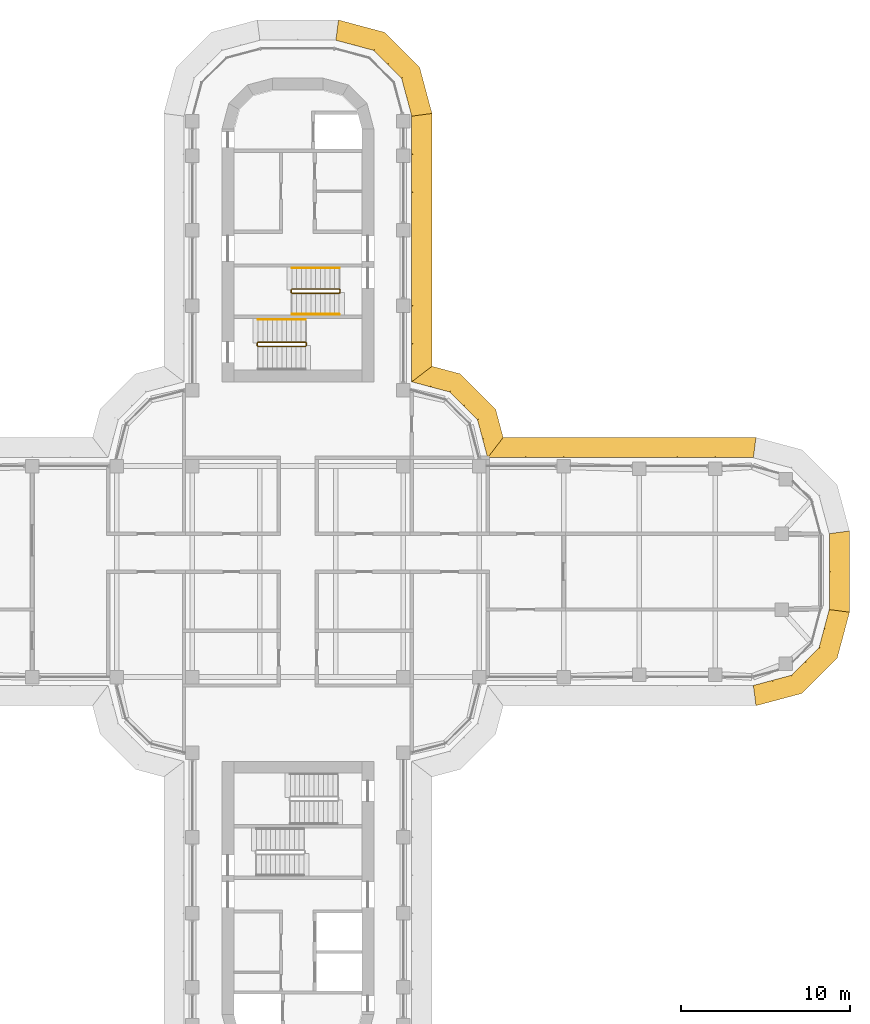
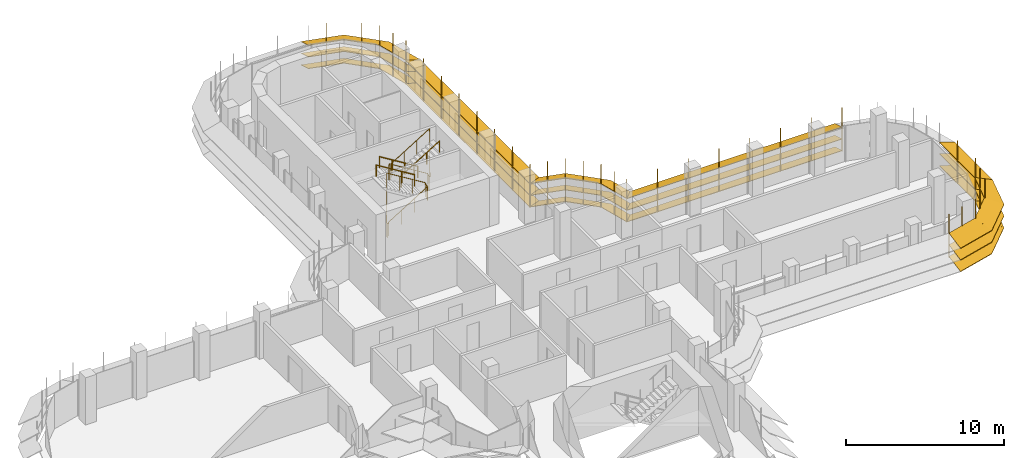
# One storey, part 18 of 19: 6 shading devices, 5 railings.
"""IFC4 building model written with IfcOpenShell, lengths in metres."""

from ifc_helpers import new_model, si_unit, direction, frame, origin, origin_2d, place, context, subcontext, project, spatial, polyline, circle, outline, extrude, faceted_brep, source, transform, mapped, material, type_object, element, save


model = new_model("IFC4")

# Units and contexts
model_context = context("Model", 3, precision=1e-05, world=origin(), true_north=direction((0.0, 1.0)))
body_context = subcontext(model_context, "Body", "Model", "MODEL_VIEW")
ifc_project = project(units=[si_unit("LENGTHUNIT", "METRE"), si_unit("AREAUNIT", "SQUARE_METRE"), si_unit("VOLUMEUNIT", "CUBIC_METRE"), si_unit("PLANEANGLEUNIT", "RADIAN"), si_unit("MASSUNIT", "GRAM", prefix="KILO")], contexts=[model_context])

# Site, building, storey
site_placement = place(None, origin())
site = spatial("IfcSite", under=ifc_project, at=site_placement, CompositionType="ELEMENT")
building_placement = place(site_placement, origin())
building = spatial("IfcBuilding", under=site, at=building_placement, Name="Zarbagh Exchange Tower", CompositionType="ELEMENT")
storey_placement = place(building_placement, frame((0.0, 0.0, 182.800048828125)))
storey = spatial("IfcBuildingStorey", under=building, at=storey_placement, Name="L44", CompositionType="ELEMENT", Elevation=182.800048828125)

# Railings
ifc_material_1 = material(Name="Stainless steel", Category="steel")
railing_type_1 = type_object("IfcRailingType", Name="Stair guard 1100 mm", PredefinedType="GUARDRAIL", material=ifc_material_1)
railing_1_placement = place(storey_placement, frame((-0.35009765625, 16.5, 2.07275390625)))
element("IfcRailing", 1, at=railing_1_placement, inside=storey, type_object=railing_type_1, Name="ST1 stair guard 1", PredefinedType="GUARDRAIL", context=body_context, shape_type="SweptSolid", body=[
    extrude(circle(Radius=0.02392578125, at=origin_2d()), frame((0.0, 0.0, 1.076171875), z_axis=(0.851089632645, 0.0, 0.525020415988), x_axis=(0.0, 1.0, 0.0)), (0.0, 0.0, 1.0), 3.2900390625),
    extrude(circle(Radius=0.02392578125, at=origin_2d()), frame((2.800048828125, 0.0, 2.80322265625), z_axis=(0.013168290981, 0.013168290981, -0.999826581076), x_axis=(-0.707106781187, 0.707106781187, 0.0)), (0.0, 0.0, 1.0), 3.80078125),
    extrude(circle(Radius=0.02392578125, at=origin_2d()), frame((2.85009765625, 0.050048828125, -0.99658203125), z_axis=(0.0, 1.0, 0.0), x_axis=(-1.0, 0.0, 0.0)), (0.0, 0.0, 1.0), 0.14990234375),
    extrude(circle(Radius=0.02392578125, at=origin_2d()), frame((2.85009765625, 0.199951171875, -0.99658203125), z_axis=(-0.268277960024, 0.268277960024, 0.925231793839), x_axis=(-0.707106781187, -0.707106781187, 0.0)), (0.0, 0.0, 1.0), 0.1865234375),
    extrude(circle(Radius=0.02392578125, at=origin_2d()), frame((2.800048828125, 0.25, -0.82421875), z_axis=(-0.851089632645, 0.0, 0.525020415988), x_axis=(0.0, -1.0, 0.0)), (0.0, 0.0, 1.0), 3.2900390625),
    extrude(circle(Radius=0.02392578125, at=origin_2d()), frame((0.0, 0.25, 0.9033203125), z_axis=(-0.705375805398, -0.708833529934, 0.0), x_axis=(0.708833529934, -0.705375805398, 0.0)), (0.0, 0.0, 1.0), 0.070556640625),
    extrude(circle(Radius=0.02392578125, at=origin_2d()), frame((-0.0498046875, 0.199951171875, 0.9033203125), z_axis=(0.0, -1.0, 0.0), x_axis=(1.0, 0.0, 0.0)), (0.0, 0.0, 1.0), 0.14990234375),
    extrude(circle(Radius=0.02099609375, at=origin_2d()), origin(), (0.0, 0.0, 1.0), 1.052001953125),
    extrude(circle(Radius=0.02099609375, at=origin_2d()), frame((0.933349609375, 0.0, 0.57568359375)), (0.0, 0.0, 1.0), 1.052001953125),
    extrude(circle(Radius=0.02099609375, at=origin_2d()), frame((1.86669921875, 0.0, 1.151611328125)), (0.0, 0.0, 1.0), 1.052001953125),
    extrude(circle(Radius=0.02099609375, at=origin_2d()), frame((2.800048828125, 0.0, 1.727294921875)), (0.0, 0.0, 1.0), 1.052001953125),
    extrude(circle(Radius=0.02099609375, at=origin_2d()), frame((2.8125, 0.012451171875, 0.77734375)), (0.0, 0.0, 1.0), 1.052001953125),
    extrude(circle(Radius=0.02099609375, at=origin_2d()), frame((2.8251953125, 0.02490234375, -0.1728515625)), (0.0, 0.0, 1.0), 1.052001953125),
    extrude(circle(Radius=0.02099609375, at=origin_2d()), frame((2.837646484375, 0.03759765625, -1.122802734375)), (0.0, 0.0, 1.0), 1.052001953125),
    extrude(circle(Radius=0.02099609375, at=origin_2d()), frame((2.85009765625, 0.050048828125, -2.07275390625)), (0.0, 0.0, 1.0), 1.052001953125),
    extrude(circle(Radius=0.02099609375, at=origin_2d()), frame((2.85009765625, 0.199951171875, -2.07275390625)), (0.0, 0.0, 1.0), 1.052001953125),
    extrude(circle(Radius=0.02099609375, at=origin_2d()), frame((2.800048828125, 0.25, -1.900146484375)), (0.0, 0.0, 1.0), 1.052001953125),
    extrude(circle(Radius=0.02099609375, at=origin_2d()), frame((1.86669921875, 0.25, -1.324462890625)), (0.0, 0.0, 1.0), 1.052001953125),
    extrude(circle(Radius=0.02099609375, at=origin_2d()), frame((0.933349609375, 0.25, -0.74853515625)), (0.0, 0.0, 1.0), 1.052001953125),
    extrude(circle(Radius=0.02099609375, at=origin_2d()), frame((0.0, 0.25, -0.1728515625)), (0.0, 0.0, 1.0), 1.052001953125),
    extrude(circle(Radius=0.02099609375, at=origin_2d()), frame((-0.0498046875, 0.199951171875, -0.1728515625)), (0.0, 0.0, 1.0), 1.052001953125),
    extrude(circle(Radius=0.02099609375, at=origin_2d()), frame((-0.0498046875, 0.050048828125, -0.1728515625)), (0.0, 0.0, 1.0), 1.052001953125),
])
railing_2_placement = place(storey_placement, frame((0.5, 13.39990234375, 1.89990234375)))
element("IfcRailing", 2, at=railing_2_placement, inside=storey, type_object=railing_type_1, Name="ST2 stair guard 1", PredefinedType="GUARDRAIL", context=body_context, shape_type="SweptSolid", body=[
    extrude(circle(Radius=0.02392578125, at=origin_2d()), frame((0.0, 0.0, 1.076171875), z_axis=(0.0, 1.0, 0.0), x_axis=(-1.0, 0.0, 0.0)), (0.0, 0.0, 1.0), 0.150146484375),
    extrude(circle(Radius=0.02392578125, at=origin_2d()), frame((0.0, 0.150146484375, 1.076171875), z_axis=(-0.267953482034, 0.267953482034, 0.925419830635), x_axis=(-0.707106781187, -0.707106781187, 0.0)), (0.0, 0.0, 1.0), 0.186767578125),
    extrude(circle(Radius=0.02392578125, at=origin_2d()), frame((-0.050048828125, 0.2001953125, 1.2490234375), z_axis=(-0.851089632645, 0.0, 0.525020415988), x_axis=(0.0, -1.0, 0.0)), (0.0, 0.0, 1.0), 3.2900390625),
    extrude(circle(Radius=0.02392578125, at=origin_2d()), frame((-2.85009765625, 0.2001953125, 2.97607421875), z_axis=(-0.013104066473, -0.013168302093, -0.99982742474), x_axis=(0.708833529934, -0.705375805398, 0.0)), (0.0, 0.0, 1.0), 3.80078125),
    extrude(circle(Radius=0.02392578125, at=origin_2d()), frame((-2.89990234375, 0.150146484375, -0.82373046875), z_axis=(0.0, -1.0, 0.0), x_axis=(1.0, 0.0, 0.0)), (0.0, 0.0, 1.0), 0.150146484375),
    extrude(circle(Radius=0.02392578125, at=origin_2d()), frame((-2.89990234375, 0.0, -0.82373046875), z_axis=(0.26715648603, -0.26715648603, 0.925880566782), x_axis=(0.707106781187, 0.707106781187, 0.0)), (0.0, 0.0, 1.0), 0.1865234375),
    extrude(circle(Radius=0.02392578125, at=origin_2d()), frame((-2.85009765625, -0.0498046875, -0.6513671875), z_axis=(0.851089632645, 0.0, 0.525020415988), x_axis=(0.0, 1.0, 0.0)), (0.0, 0.0, 1.0), 3.2900390625),
    extrude(circle(Radius=0.02099609375, at=origin_2d()), origin(), (0.0, 0.0, 1.0), 1.052001953125),
    extrude(circle(Radius=0.02099609375, at=origin_2d()), frame((0.0, 0.150146484375, 0.0)), (0.0, 0.0, 1.0), 1.052001953125),
    extrude(circle(Radius=0.02099609375, at=origin_2d()), frame((-0.050048828125, 0.2001953125, 0.1728515625)), (0.0, 0.0, 1.0), 1.052001953125),
    extrude(circle(Radius=0.02099609375, at=origin_2d()), frame((-0.9833984375, 0.2001953125, 0.74853515625)), (0.0, 0.0, 1.0), 1.052001953125),
    extrude(circle(Radius=0.02099609375, at=origin_2d()), frame((-1.916748046875, 0.2001953125, 1.324462890625)), (0.0, 0.0, 1.0), 1.052001953125),
    extrude(circle(Radius=0.02099609375, at=origin_2d()), frame((-2.85009765625, 0.2001953125, 1.900146484375)), (0.0, 0.0, 1.0), 1.052001953125),
    extrude(circle(Radius=0.02099609375, at=origin_2d()), frame((-2.862548828125, 0.187744140625, 0.9501953125)), (0.0, 0.0, 1.0), 1.052001953125),
    extrude(circle(Radius=0.02099609375, at=origin_2d()), frame((-2.875, 0.17529296875, 0.0)), (0.0, 0.0, 1.0), 1.052001953125),
    extrude(circle(Radius=0.02099609375, at=origin_2d()), frame((-2.887451171875, 0.16259765625, -0.949951171875)), (0.0, 0.0, 1.0), 1.052001953125),
    extrude(circle(Radius=0.02099609375, at=origin_2d()), frame((-2.89990234375, 0.150146484375, -1.89990234375)), (0.0, 0.0, 1.0), 1.052001953125),
    extrude(circle(Radius=0.02099609375, at=origin_2d()), frame((-2.89990234375, 0.0, -1.89990234375)), (0.0, 0.0, 1.0), 1.052001953125),
    extrude(circle(Radius=0.02099609375, at=origin_2d()), frame((-2.85009765625, -0.0498046875, -1.727294921875)), (0.0, 0.0, 1.0), 1.052001953125),
    extrude(circle(Radius=0.02099609375, at=origin_2d()), frame((-1.916748046875, -0.0498046875, -1.151611328125)), (0.0, 0.0, 1.0), 1.052001953125),
    extrude(circle(Radius=0.02099609375, at=origin_2d()), frame((-0.9833984375, -0.0498046875, -0.57568359375)), (0.0, 0.0, 1.0), 1.052001953125),
    extrude(circle(Radius=0.02099609375, at=origin_2d()), frame((-0.050048828125, -0.0498046875, 0.0)), (0.0, 0.0, 1.0), 1.052001953125),
])
railing_type_2 = type_object("IfcRailingType", Name="Stair handrail 900 mm", PredefinedType="HANDRAIL", material=ifc_material_1)
railing_3_placement = place(storey_placement, frame((2.449951171875, 18.0, 0.172607421875)))
element("IfcRailing", 3, at=railing_3_placement, inside=storey, type_object=railing_type_2, Name="ST1 stair handrail 1", PredefinedType="HANDRAIL", context=body_context, shape_type="SweptSolid", body=[
    extrude(circle(Radius=0.02392578125, at=origin_2d()), frame((0.0, 0.0, 0.8759765625), z_axis=(-0.851089632645, 0.0, 0.525020415988), x_axis=(0.0, -1.0, 0.0)), (0.0, 0.0, 1.0), 3.2900390625),
    extrude(circle(Radius=0.02099609375, at=origin_2d()), origin(), (0.0, 0.0, 1.0), 0.851806640625),
    extrude(circle(Radius=0.02099609375, at=origin_2d()), frame((-0.933349609375, 0.0, 0.57568359375)), (0.0, 0.0, 1.0), 0.851806640625),
    extrude(circle(Radius=0.02099609375, at=origin_2d()), frame((-1.86669921875, 0.0, 1.151611328125)), (0.0, 0.0, 1.0), 0.851806640625),
    extrude(circle(Radius=0.02099609375, at=origin_2d()), frame((-2.800048828125, 0.0, 1.727294921875)), (0.0, 0.0, 1.0), 0.851806640625),
])
railing_4_placement = place(storey_placement, frame((-0.35009765625, 15.25, 2.07275390625)))
element("IfcRailing", 4, at=railing_4_placement, inside=storey, type_object=railing_type_2, Name="ST1 stair handrail 2", PredefinedType="HANDRAIL", context=body_context, shape_type="SweptSolid", body=[
    extrude(circle(Radius=0.02392578125, at=origin_2d()), frame((0.0, 0.0, 0.8759765625), z_axis=(0.851089632645, 0.0, 0.525020415988), x_axis=(0.0, 1.0, 0.0)), (0.0, 0.0, 1.0), 3.2900390625),
    extrude(circle(Radius=0.02099609375, at=origin_2d()), origin(), (0.0, 0.0, 1.0), 0.851806640625),
    extrude(circle(Radius=0.02099609375, at=origin_2d()), frame((0.933349609375, 0.0, 0.57568359375)), (0.0, 0.0, 1.0), 0.851806640625),
    extrude(circle(Radius=0.02099609375, at=origin_2d()), frame((1.86669921875, 0.0, 1.151611328125)), (0.0, 0.0, 1.0), 0.851806640625),
    extrude(circle(Radius=0.02099609375, at=origin_2d()), frame((2.800048828125, 0.0, 1.727294921875)), (0.0, 0.0, 1.0), 0.851806640625),
])
railing_5_placement = place(storey_placement, frame((0.449951171875, 14.949951171875, 2.07275390625)))
element("IfcRailing", 5, at=railing_5_placement, inside=storey, type_object=railing_type_2, Name="ST2 stair handrail 2", PredefinedType="HANDRAIL", context=body_context, shape_type="SweptSolid", body=[
    extrude(circle(Radius=0.02392578125, at=origin_2d()), frame((0.0, 0.0, 0.8759765625), z_axis=(-0.851089632645, 0.0, 0.525020415988), x_axis=(0.0, -1.0, 0.0)), (0.0, 0.0, 1.0), 3.2900390625),
    extrude(circle(Radius=0.02099609375, at=origin_2d()), origin(), (0.0, 0.0, 1.0), 0.851806640625),
    extrude(circle(Radius=0.02099609375, at=origin_2d()), frame((-0.933349609375, 0.0, 0.57568359375)), (0.0, 0.0, 1.0), 0.851806640625),
    extrude(circle(Radius=0.02099609375, at=origin_2d()), frame((-1.86669921875, 0.0, 1.151611328125)), (0.0, 0.0, 1.0), 0.851806640625),
    extrude(circle(Radius=0.02099609375, at=origin_2d()), frame((-2.800048828125, 0.0, 1.727294921875)), (0.0, 0.0, 1.0), 0.851806640625),
])

# Shading devices
ifc_material_2 = material(Name="Anodised aluminium blades and brackets", Category="aluminium")
shading_device_type = type_object("IfcShadingDeviceType", Name="SUNSHADE louvre band, 22.5 degree blades", PredefinedType="JALOUSIE", material=ifc_material_2)
shared_shape_1 = source(origin(), body_context, "Body", "Brep", [
    faceted_brep([(0.0, 0.0, 0.0), (0.0, 0.0, -0.043212890625), (-0.157958984375, -1.199951171875, -0.540283203125), (-0.157958984375, -1.199951171875, -0.4970703125), (2.65087890625, -1.199951171875, -0.4970703125), (2.65087890625, -1.199951171875, -0.540283203125), (2.329345703125, 0.0, -0.043212890625), (2.329345703125, 0.0, 0.0)], [[[0, 1, 2, 3]], [[4, 5, 6, 7]], [[0, 7, 6, 1]], [[1, 6, 5, 2]], [[2, 5, 4, 3]], [[3, 4, 7, 0]]]),
])
shared_shape_2 = source(origin(), body_context, "Body", "Brep", [
    faceted_brep([(0.0, 0.0, 0.0), (0.0, 0.0, -0.043212890625), (-0.321533203125, -1.199951171875, -0.540283203125), (-0.321533203125, -1.199951171875, -0.4970703125), (2.65087890625, -1.199951171875, -0.4970703125), (2.65087890625, -1.199951171875, -0.540283203125), (2.329345703125, 0.0, -0.043212890625), (2.329345703125, 0.0, 0.0)], [[[0, 1, 2, 3]], [[4, 5, 6, 7]], [[0, 7, 6, 1]], [[1, 6, 5, 2]], [[2, 5, 4, 3]], [[3, 4, 7, 0]]]),
])
shared_shape_3 = source(origin(), body_context, "Body", "Brep", [
    faceted_brep([(0.0, 0.0, 0.0), (0.0, 0.0, -0.043212890625), (-0.321533203125, -1.199951171875, -0.540283203125), (-0.321533203125, -1.199951171875, -0.4970703125), (2.4873046875, -1.199951171875, -0.4970703125), (2.4873046875, -1.199951171875, -0.540283203125), (2.329345703125, 0.0, -0.043212890625), (2.329345703125, 0.0, 0.0)], [[[0, 1, 2, 3]], [[4, 5, 6, 7]], [[0, 7, 6, 1]], [[1, 6, 5, 2]], [[2, 5, 4, 3]], [[3, 4, 7, 0]]]),
])
shared_shape_4 = source(origin(), body_context, "Body", "SweptSolid", [
    extrude(outline(polyline([(0.0, -0.012451171875), (0.06005859375, -0.012451171875), (0.06005859375, 0.012451171875), (0.0, 0.012451171875), (0.0, -0.012451171875)])), origin(), (0.0, 0.0, 1.0), 3.353271484375),
])
placement = place(storey_placement, origin())
element("IfcShadingDevice", 6, at=placement, inside=storey, type_object=shading_device_type, Name="SS31 sunshade band", PredefinedType="JALOUSIE", context=body_context, shape_type="MappedRepresentation", body=[
    mapped(shared_shape_1, transform((27.0, -6.75, 2.300048828125), x_axis=(0.965924289636, 0.258824779902, 0.0), y_axis=(-0.258824779902, 0.965924289636, 0.0), z_axis=(0.0, 0.0, 1.0))),
    mapped(shared_shape_1, transform((27.0, -6.75, 1.39990234375), x_axis=(0.965924289636, 0.258824779902, 0.0), y_axis=(-0.258824779902, 0.965924289636, 0.0), z_axis=(0.0, 0.0, 1.0))),
    mapped(shared_shape_1, transform((27.0, -6.75, 0.5), x_axis=(0.965924289636, 0.258824779902, 0.0), y_axis=(-0.258824779902, 0.965924289636, 0.0), z_axis=(0.0, 0.0, 1.0))),
    mapped(shared_shape_2, transform((29.25, -6.147216796875, 2.300048828125), x_axis=(0.707106781187, 0.707106781187, 0.0), y_axis=(-0.707106781187, 0.707106781187, 0.0), z_axis=(0.0, 0.0, 1.0))),
    mapped(shared_shape_2, transform((29.25, -6.147216796875, 1.39990234375), x_axis=(0.707106781187, 0.707106781187, 0.0), y_axis=(-0.707106781187, 0.707106781187, 0.0), z_axis=(0.0, 0.0, 1.0))),
    mapped(shared_shape_2, transform((29.25, -6.147216796875, 0.5), x_axis=(0.707106781187, 0.707106781187, 0.0), y_axis=(-0.707106781187, 0.707106781187, 0.0), z_axis=(0.0, 0.0, 1.0))),
    mapped(shared_shape_3, transform((30.897216796875, -4.5, 2.300048828125), x_axis=(0.258824779902, 0.965924289636, 0.0), y_axis=(-0.965924289636, 0.258824779902, 0.0), z_axis=(0.0, 0.0, 1.0))),
    mapped(shared_shape_3, transform((30.897216796875, -4.5, 1.39990234375), x_axis=(0.258824779902, 0.965924289636, 0.0), y_axis=(-0.965924289636, 0.258824779902, 0.0), z_axis=(0.0, 0.0, 1.0))),
    mapped(shared_shape_3, transform((30.897216796875, -4.5, 0.5), x_axis=(0.258824779902, 0.965924289636, 0.0), y_axis=(-0.965924289636, 0.258824779902, 0.0), z_axis=(0.0, 0.0, 1.0))),
    mapped(shared_shape_4, transform((27.0, -6.75, 0.4267578125), x_axis=(0.130529263012, -0.991444457092, 0.0), y_axis=(0.991444457092, 0.130529263012, 0.0), z_axis=(0.0, 0.0, 1.0))),
    mapped(shared_shape_4, transform((28.125, -6.448486328125, 0.4267578125), x_axis=(0.258825058029, -0.96592421511, 0.0), y_axis=(0.96592421511, 0.258825058029, 0.0), z_axis=(0.0, 0.0, 1.0))),
    mapped(shared_shape_4, transform((29.25, -6.147216796875, 0.4267578125), x_axis=(0.50000275701, -0.866023812018, 0.0), y_axis=(0.866023812018, 0.50000275701, 0.0), z_axis=(0.0, 0.0, 1.0))),
    mapped(shared_shape_4, transform((30.073486328125, -5.323486328125, 0.4267578125), x_axis=(0.707106781187, -0.707106781187, 0.0), y_axis=(0.707106781187, 0.707106781187, 0.0), z_axis=(0.0, 0.0, 1.0))),
    mapped(shared_shape_4, transform((30.897216796875, -4.5, 0.4267578125), x_axis=(0.866023812018, -0.50000275701, 0.0), y_axis=(0.50000275701, 0.866023812018, 0.0), z_axis=(0.0, 0.0, 1.0))),
    mapped(shared_shape_4, transform((31.198486328125, -3.375, 0.4267578125), x_axis=(0.96592421511, -0.258825058029, 0.0), y_axis=(0.258825058029, 0.96592421511, 0.0), z_axis=(0.0, 0.0, 1.0))),
])
element("IfcShadingDevice", 7, at=placement, inside=storey, type_object=shading_device_type, Name="SS26 sunshade band", PredefinedType="JALOUSIE", context=body_context, shape_type="MappedRepresentation", body=[
    mapped(shared_shape_1, transform((6.75, 27.0, 2.300048828125), x_axis=(-0.258824779902, 0.965924289636, 0.0), y_axis=(-0.965924289636, -0.258824779902, 0.0), z_axis=(0.0, 0.0, 1.0))),
    mapped(shared_shape_1, transform((6.75, 27.0, 1.39990234375), x_axis=(-0.258824779902, 0.965924289636, 0.0), y_axis=(-0.965924289636, -0.258824779902, 0.0), z_axis=(0.0, 0.0, 1.0))),
    mapped(shared_shape_1, transform((6.75, 27.0, 0.5), x_axis=(-0.258824779902, 0.965924289636, 0.0), y_axis=(-0.965924289636, -0.258824779902, 0.0), z_axis=(0.0, 0.0, 1.0))),
    mapped(shared_shape_2, transform((6.147216796875, 29.25, 2.300048828125), x_axis=(-0.707106781187, 0.707106781187, 0.0), y_axis=(-0.707106781187, -0.707106781187, 0.0), z_axis=(0.0, 0.0, 1.0))),
    mapped(shared_shape_2, transform((6.147216796875, 29.25, 1.39990234375), x_axis=(-0.707106781187, 0.707106781187, 0.0), y_axis=(-0.707106781187, -0.707106781187, 0.0), z_axis=(0.0, 0.0, 1.0))),
    mapped(shared_shape_2, transform((6.147216796875, 29.25, 0.5), x_axis=(-0.707106781187, 0.707106781187, 0.0), y_axis=(-0.707106781187, -0.707106781187, 0.0), z_axis=(0.0, 0.0, 1.0))),
    mapped(shared_shape_3, transform((4.5, 30.897216796875, 2.300048828125), x_axis=(-0.965924289636, 0.258824779902, 0.0), y_axis=(-0.258824779902, -0.965924289636, 0.0), z_axis=(0.0, 0.0, 1.0))),
    mapped(shared_shape_3, transform((4.5, 30.897216796875, 1.39990234375), x_axis=(-0.965924289636, 0.258824779902, 0.0), y_axis=(-0.258824779902, -0.965924289636, 0.0), z_axis=(0.0, 0.0, 1.0))),
    mapped(shared_shape_3, transform((4.5, 30.897216796875, 0.5), x_axis=(-0.965924289636, 0.258824779902, 0.0), y_axis=(-0.258824779902, -0.965924289636, 0.0), z_axis=(0.0, 0.0, 1.0))),
    mapped(shared_shape_4, transform((6.75, 27.0, 0.4267578125), x_axis=(0.991444457092, 0.130529263012, 0.0), y_axis=(-0.130529263012, 0.991444457092, 0.0), z_axis=(0.0, 0.0, 1.0))),
    mapped(shared_shape_4, transform((6.448486328125, 28.125, 0.4267578125), x_axis=(0.96592421511, 0.258825058029, 0.0), y_axis=(-0.258825058029, 0.96592421511, 0.0), z_axis=(0.0, 0.0, 1.0))),
    mapped(shared_shape_4, transform((6.147216796875, 29.25, 0.4267578125), x_axis=(0.866023812018, 0.50000275701, 0.0), y_axis=(-0.50000275701, 0.866023812018, 0.0), z_axis=(0.0, 0.0, 1.0))),
    mapped(shared_shape_4, transform((5.323486328125, 30.073486328125, 0.4267578125), x_axis=(0.707106781187, 0.707106781187, 0.0), y_axis=(-0.707106781187, 0.707106781187, 0.0), z_axis=(0.0, 0.0, 1.0))),
    mapped(shared_shape_4, transform((4.5, 30.897216796875, 0.4267578125), x_axis=(0.50000275701, 0.866023812018, 0.0), y_axis=(-0.866023812018, 0.50000275701, 0.0), z_axis=(0.0, 0.0, 1.0))),
    mapped(shared_shape_4, transform((3.375, 31.198486328125, 0.4267578125), x_axis=(0.258825058029, 0.96592421511, 0.0), y_axis=(-0.96592421511, 0.258825058029, 0.0), z_axis=(0.0, 0.0, 1.0))),
])
shared_shape_5 = source(origin(), body_context, "Body", "Brep", [
    faceted_brep([(0.0, 0.0, 0.0), (0.0, 0.0, -0.043212890625), (0.9208984375, -1.199951171875, -0.540283203125), (0.9208984375, -1.199951171875, -0.4970703125), (2.65087890625, -1.199951171875, -0.4970703125), (2.65087890625, -1.199951171875, -0.540283203125), (2.329345703125, 0.0, -0.043212890625), (2.329345703125, 0.0, 0.0)], [[[0, 1, 2, 3]], [[4, 5, 6, 7]], [[0, 7, 6, 1]], [[1, 6, 5, 2]], [[2, 5, 4, 3]], [[3, 4, 7, 0]]]),
])
shared_shape_6 = source(origin(), body_context, "Body", "Brep", [
    faceted_brep([(0.0, 0.0, 0.0), (0.0, 0.0, -0.043212890625), (-0.321533203125, -1.199951171875, -0.540283203125), (-0.321533203125, -1.199951171875, -0.4970703125), (1.40869140625, -1.199951171875, -0.4970703125), (1.40869140625, -1.199951171875, -0.540283203125), (2.329345703125, 0.0, -0.043212890625), (2.329345703125, 0.0, 0.0)], [[[0, 1, 2, 3]], [[4, 5, 6, 7]], [[0, 7, 6, 1]], [[1, 6, 5, 2]], [[2, 5, 4, 3]], [[3, 4, 7, 0]]]),
])
element("IfcShadingDevice", 8, at=placement, inside=storey, type_object=shading_device_type, Name="SS09 sunshade band", PredefinedType="JALOUSIE", context=body_context, shape_type="MappedRepresentation", body=[
    mapped(shared_shape_5, transform((11.25, 6.75, 2.300048828125), x_axis=(-0.258824779902, 0.965924289636, 0.0), y_axis=(-0.965924289636, -0.258824779902, 0.0), z_axis=(0.0, 0.0, 1.0))),
    mapped(shared_shape_5, transform((11.25, 6.75, 1.39990234375), x_axis=(-0.258824779902, 0.965924289636, 0.0), y_axis=(-0.965924289636, -0.258824779902, 0.0), z_axis=(0.0, 0.0, 1.0))),
    mapped(shared_shape_5, transform((11.25, 6.75, 0.5), x_axis=(-0.258824779902, 0.965924289636, 0.0), y_axis=(-0.965924289636, -0.258824779902, 0.0), z_axis=(0.0, 0.0, 1.0))),
    mapped(shared_shape_2, transform((10.647216796875, 9.0, 2.300048828125), x_axis=(-0.707106781187, 0.707106781187, 0.0), y_axis=(-0.707106781187, -0.707106781187, 0.0), z_axis=(0.0, 0.0, 1.0))),
    mapped(shared_shape_2, transform((10.647216796875, 9.0, 1.39990234375), x_axis=(-0.707106781187, 0.707106781187, 0.0), y_axis=(-0.707106781187, -0.707106781187, 0.0), z_axis=(0.0, 0.0, 1.0))),
    mapped(shared_shape_2, transform((10.647216796875, 9.0, 0.5), x_axis=(-0.707106781187, 0.707106781187, 0.0), y_axis=(-0.707106781187, -0.707106781187, 0.0), z_axis=(0.0, 0.0, 1.0))),
    mapped(shared_shape_6, transform((9.0, 10.647216796875, 2.300048828125), x_axis=(-0.965924289636, 0.258824779902, 0.0), y_axis=(-0.258824779902, -0.965924289636, 0.0), z_axis=(0.0, 0.0, 1.0))),
    mapped(shared_shape_6, transform((9.0, 10.647216796875, 1.39990234375), x_axis=(-0.965924289636, 0.258824779902, 0.0), y_axis=(-0.258824779902, -0.965924289636, 0.0), z_axis=(0.0, 0.0, 1.0))),
    mapped(shared_shape_6, transform((9.0, 10.647216796875, 0.5), x_axis=(-0.965924289636, 0.258824779902, 0.0), y_axis=(-0.258824779902, -0.965924289636, 0.0), z_axis=(0.0, 0.0, 1.0))),
    mapped(shared_shape_4, transform((11.25, 6.75, 0.4267578125), x_axis=(0.608758892, 0.793355287, 0.0), y_axis=(-0.793355287, 0.608758892, 0.0), z_axis=(0.0, 0.0, 1.0))),
    mapped(shared_shape_4, transform((10.948486328125, 7.875, 0.4267578125), x_axis=(0.96592421511, 0.258825058029, 0.0), y_axis=(-0.258825058029, 0.96592421511, 0.0), z_axis=(0.0, 0.0, 1.0))),
    mapped(shared_shape_4, transform((10.647216796875, 9.0, 0.4267578125), x_axis=(0.866023812018, 0.50000275701, 0.0), y_axis=(-0.50000275701, 0.866023812018, 0.0), z_axis=(0.0, 0.0, 1.0))),
    mapped(shared_shape_4, transform((9.823486328125, 9.823486328125, 0.4267578125), x_axis=(0.707106781187, 0.707106781187, 0.0), y_axis=(-0.707106781187, 0.707106781187, 0.0), z_axis=(0.0, 0.0, 1.0))),
    mapped(shared_shape_4, transform((9.0, 10.647216796875, 0.4267578125), x_axis=(0.50000275701, 0.866023812018, 0.0), y_axis=(-0.866023812018, 0.50000275701, 0.0), z_axis=(0.0, 0.0, 1.0))),
    mapped(shared_shape_4, transform((7.875, 10.948486328125, 0.4267578125), x_axis=(0.258825058029, 0.96592421511, 0.0), y_axis=(-0.96592421511, 0.258825058029, 0.0), z_axis=(0.0, 0.0, 1.0))),
])
shared_shape_7 = source(origin(), body_context, "Body", "Brep", [
    faceted_brep([(0.0, 0.0, 0.0), (0.0, 0.0, -0.043212890625), (-0.157958984375, -1.199951171875, -0.540283203125), (-0.157958984375, -1.199951171875, -0.4970703125), (4.657958984375, -1.199951171875, -0.4970703125), (4.657958984375, -1.199951171875, -0.540283203125), (4.5, 0.0, -0.043212890625), (4.5, 0.0, 0.0)], [[[0, 1, 2, 3]], [[4, 5, 6, 7]], [[0, 7, 6, 1]], [[1, 6, 5, 2]], [[2, 5, 4, 3]], [[3, 4, 7, 0]]]),
])
element("IfcShadingDevice", 9, at=placement, inside=storey, type_object=shading_device_type, Name="SS32 sunshade band", PredefinedType="JALOUSIE", context=body_context, shape_type="MappedRepresentation", body=[
    mapped(shared_shape_7, transform((31.5, -2.25, 2.300048828125), x_axis=(0.0, 1.0, 0.0), y_axis=(-1.0, 0.0, 0.0), z_axis=(0.0, 0.0, 1.0))),
    mapped(shared_shape_7, transform((31.5, -2.25, 1.39990234375), x_axis=(0.0, 1.0, 0.0), y_axis=(-1.0, 0.0, 0.0), z_axis=(0.0, 0.0, 1.0))),
    mapped(shared_shape_7, transform((31.5, -2.25, 0.5), x_axis=(0.0, 1.0, 0.0), y_axis=(-1.0, 0.0, 0.0), z_axis=(0.0, 0.0, 1.0))),
    mapped(shared_shape_4, transform((31.5, -2.25, 0.4267578125), x_axis=(0.991444457092, -0.130529263012, 0.0), y_axis=(0.130529263012, 0.991444457092, 0.0), z_axis=(0.0, 0.0, 1.0))),
    mapped(shared_shape_4, transform((31.5, 0.0, 0.4267578125), x_axis=(1.0, 0.0, 0.0), y_axis=(0.0, 1.0, 0.0), z_axis=(0.0, 0.0, 1.0))),
])
shared_shape_8 = source(origin(), body_context, "Body", "Brep", [
    faceted_brep([(0.0, 0.0, 0.0), (0.0, 0.0, -0.043212890625), (-0.157958984375, -1.199951171875, -0.540283203125), (-0.157958984375, -1.199951171875, -0.4970703125), (14.8291015625, -1.199951171875, -0.4970703125), (14.8291015625, -1.199951171875, -0.540283203125), (15.75, 0.0, -0.043212890625), (15.75, 0.0, 0.0)], [[[0, 1, 2, 3]], [[4, 5, 6, 7]], [[0, 7, 6, 1]], [[1, 6, 5, 2]], [[2, 5, 4, 3]], [[3, 4, 7, 0]]]),
])
element("IfcShadingDevice", 10, at=placement, inside=storey, type_object=shading_device_type, Name="SS34 sunshade band", PredefinedType="JALOUSIE", context=body_context, shape_type="MappedRepresentation", body=[
    mapped(shared_shape_8, transform((27.0, 6.75, 2.300048828125), x_axis=(-1.0, 0.0, 0.0), y_axis=(0.0, -1.0, 0.0), z_axis=(0.0, 0.0, 1.0))),
    mapped(shared_shape_8, transform((27.0, 6.75, 1.39990234375), x_axis=(-1.0, 0.0, 0.0), y_axis=(0.0, -1.0, 0.0), z_axis=(0.0, 0.0, 1.0))),
    mapped(shared_shape_8, transform((27.0, 6.75, 0.5), x_axis=(-1.0, 0.0, 0.0), y_axis=(0.0, -1.0, 0.0), z_axis=(0.0, 0.0, 1.0))),
    mapped(shared_shape_4, transform((27.0, 6.75, 0.4267578125), x_axis=(0.130529263012, 0.991444457092, 0.0), y_axis=(-0.991444457092, 0.130529263012, 0.0), z_axis=(0.0, 0.0, 1.0))),
    mapped(shared_shape_4, transform((24.75, 6.75, 0.4267578125), x_axis=(0.0, 1.0, 0.0), y_axis=(-1.0, 0.0, 0.0), z_axis=(0.0, 0.0, 1.0))),
    mapped(shared_shape_4, transform((22.5, 6.75, 0.4267578125), x_axis=(0.0, 1.0, 0.0), y_axis=(-1.0, 0.0, 0.0), z_axis=(0.0, 0.0, 1.0))),
    mapped(shared_shape_4, transform((20.25, 6.75, 0.4267578125), x_axis=(0.0, 1.0, 0.0), y_axis=(-1.0, 0.0, 0.0), z_axis=(0.0, 0.0, 1.0))),
    mapped(shared_shape_4, transform((18.0, 6.75, 0.4267578125), x_axis=(0.0, 1.0, 0.0), y_axis=(-1.0, 0.0, 0.0), z_axis=(0.0, 0.0, 1.0))),
    mapped(shared_shape_4, transform((15.75, 6.75, 0.4267578125), x_axis=(0.0, 1.0, 0.0), y_axis=(-1.0, 0.0, 0.0), z_axis=(0.0, 0.0, 1.0))),
    mapped(shared_shape_4, transform((13.5, 6.75, 0.4267578125), x_axis=(0.0, 1.0, 0.0), y_axis=(-1.0, 0.0, 0.0), z_axis=(0.0, 0.0, 1.0))),
])
shared_shape_9 = source(origin(), body_context, "Body", "Brep", [
    faceted_brep([(0.0, 0.0, 0.0), (0.0, 0.0, -0.043212890625), (0.9208984375, -1.199951171875, -0.540283203125), (0.9208984375, -1.199951171875, -0.4970703125), (15.907958984375, -1.199951171875, -0.4970703125), (15.907958984375, -1.199951171875, -0.540283203125), (15.75, 0.0, -0.043212890625), (15.75, 0.0, 0.0)], [[[0, 1, 2, 3]], [[4, 5, 6, 7]], [[0, 7, 6, 1]], [[1, 6, 5, 2]], [[2, 5, 4, 3]], [[3, 4, 7, 0]]]),
])
element("IfcShadingDevice", 11, at=placement, inside=storey, type_object=shading_device_type, Name="SS25 sunshade band", PredefinedType="JALOUSIE", context=body_context, shape_type="MappedRepresentation", body=[
    mapped(shared_shape_9, transform((6.75, 11.25, 2.300048828125), x_axis=(0.0, 1.0, 0.0), y_axis=(-1.0, 0.0, 0.0), z_axis=(0.0, 0.0, 1.0))),
    mapped(shared_shape_9, transform((6.75, 11.25, 1.39990234375), x_axis=(0.0, 1.0, 0.0), y_axis=(-1.0, 0.0, 0.0), z_axis=(0.0, 0.0, 1.0))),
    mapped(shared_shape_9, transform((6.75, 11.25, 0.5), x_axis=(0.0, 1.0, 0.0), y_axis=(-1.0, 0.0, 0.0), z_axis=(0.0, 0.0, 1.0))),
    mapped(shared_shape_4, transform((6.75, 11.25, 0.4267578125), x_axis=(0.793355287, 0.608758892, 0.0), y_axis=(-0.608758892, 0.793355287, 0.0), z_axis=(0.0, 0.0, 1.0))),
    mapped(shared_shape_4, transform((6.75, 13.5, 0.4267578125), x_axis=(1.0, 0.0, 0.0), y_axis=(0.0, 1.0, 0.0), z_axis=(0.0, 0.0, 1.0))),
    mapped(shared_shape_4, transform((6.75, 15.75, 0.4267578125), x_axis=(1.0, 0.0, 0.0), y_axis=(0.0, 1.0, 0.0), z_axis=(0.0, 0.0, 1.0))),
    mapped(shared_shape_4, transform((6.75, 18.0, 0.4267578125), x_axis=(1.0, 0.0, 0.0), y_axis=(0.0, 1.0, 0.0), z_axis=(0.0, 0.0, 1.0))),
    mapped(shared_shape_4, transform((6.75, 20.25, 0.4267578125), x_axis=(1.0, 0.0, 0.0), y_axis=(0.0, 1.0, 0.0), z_axis=(0.0, 0.0, 1.0))),
    mapped(shared_shape_4, transform((6.75, 22.5, 0.4267578125), x_axis=(1.0, 0.0, 0.0), y_axis=(0.0, 1.0, 0.0), z_axis=(0.0, 0.0, 1.0))),
    mapped(shared_shape_4, transform((6.75, 24.75, 0.4267578125), x_axis=(1.0, 0.0, 0.0), y_axis=(0.0, 1.0, 0.0), z_axis=(0.0, 0.0, 1.0))),
])

save(model, "model.ifc")
